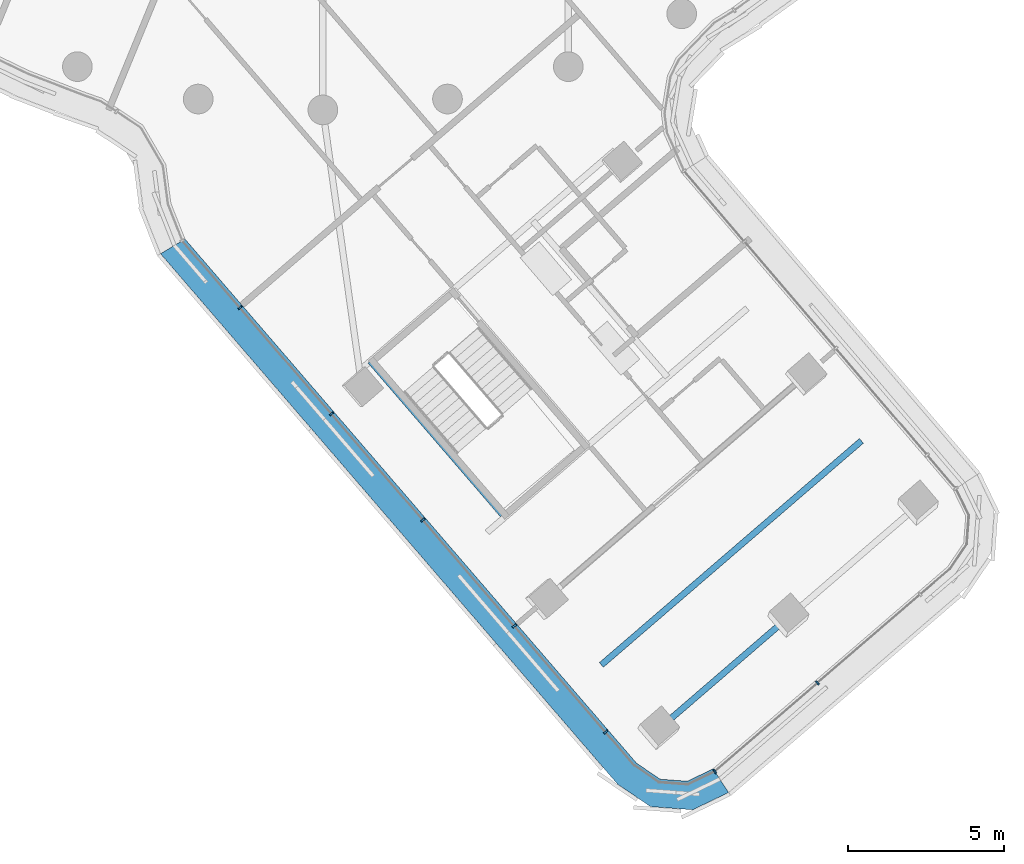
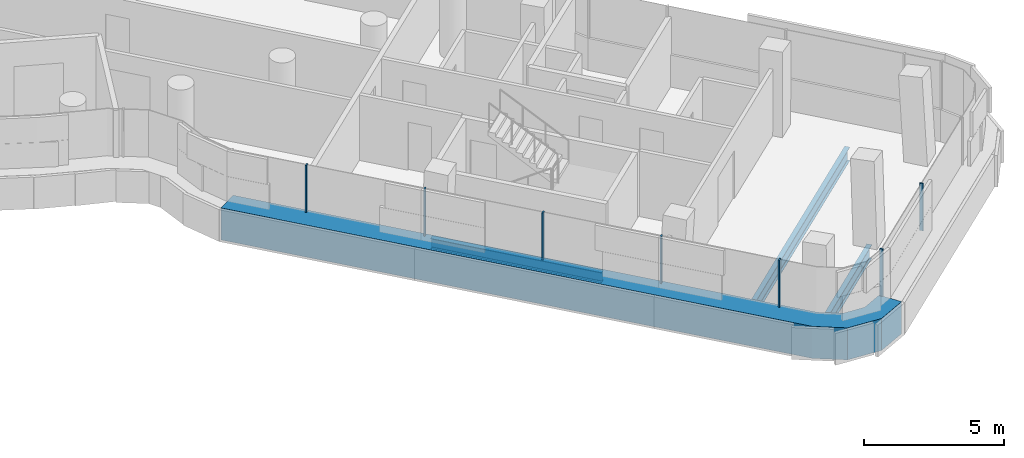
# One storey, part 4 of 34: 8 members, 3 beams, 2 elements without a shape of their own.
"""IFC4 building model written with IfcOpenShell, lengths in metres."""

from ifc_helpers import new_model, si_unit, direction, frame, origin, origin_2d, place, context, subcontext, project, spatial, polyline, rectangle, i_section, outline, extrude, material, layer, layer_set, material_profile, profile_set, type_object, element, aggregate, save


model = new_model("IFC4")

# Units and contexts
model_context = context("Model", 3, precision=1e-05, world=origin(), true_north=direction((0.0, 1.0)))
body_context = subcontext(model_context, "Body", "Model", "MODEL_VIEW")
ifc_project = project(units=[si_unit("LENGTHUNIT", "METRE"), si_unit("AREAUNIT", "SQUARE_METRE"), si_unit("VOLUMEUNIT", "CUBIC_METRE"), si_unit("PLANEANGLEUNIT", "RADIAN"), si_unit("MASSUNIT", "GRAM", prefix="KILO")], contexts=[model_context])

# Site, building, storey
site_placement = place(None, origin())
site = spatial("IfcSite", under=ifc_project, at=site_placement, CompositionType="ELEMENT")
building_placement = place(site_placement, origin())
building = spatial("IfcBuilding", under=site, at=building_placement, Name="Tamarind Cross Interchange Tower", CompositionType="ELEMENT")
storey_placement = place(building_placement, frame((0.0, 0.0, 182.5)))
storey = spatial("IfcBuildingStorey", under=building, at=storey_placement, Name="L45", CompositionType="ELEMENT", Elevation=182.5)

# Beams
ifc_material_1 = material(Name="Steel Q355B", Category="steel")
ifc_material_profile_1 = material_profile(ifc_material_1, i_section(OverallWidth=0.198974609375, OverallDepth=0.446044921875, WebThickness=0.008056640625, FlangeThickness=0.011962890625, FilletRadius=0.012939453125, at=origin_2d()), Name="HN 446x199x8x12")
ifc_profile_set_1 = profile_set([ifc_material_profile_1], Name="Steel Q355B")
beam_type_1 = type_object("IfcBeamType", Name="Composite beam HN 446x199x8x12 Q355B", PredefinedType="BEAM", material=ifc_profile_set_1)
beam_1_placement = place(storey_placement, frame((1.525390625, -31.047607421875, -0.363037109375), z_axis=(0.65271002056, -0.757607833289, 0.0), x_axis=(0.757607833289, 0.65271002056, 0.0)))
element("IfcBeam", 1, at=beam_1_placement, inside=storey, type_object=beam_type_1, Name="Beam S-tr0", PredefinedType="BEAM", context=body_context, shape_type="SweptSolid", body=[
    extrude(i_section(OverallWidth=0.198974609375, OverallDepth=0.446044921875, WebThickness=0.008056640625, FlangeThickness=0.011962890625, FilletRadius=0.012939453125, at=origin_2d()), origin(), (0.0, 0.0, 1.0), 6.50048828125),
])
ifc_material_profile_2 = material_profile(ifc_material_1, i_section(OverallWidth=0.198974609375, OverallDepth=0.595947265625, WebThickness=0.010009765625, FlangeThickness=0.014892578125, FilletRadius=0.012939453125, at=origin_2d()), Name="HN 596x199x10x15")
ifc_profile_set_2 = profile_set([ifc_material_profile_2], Name="Steel Q355B")
beam_type_2 = type_object("IfcBeamType", Name="Composite beam HN 596x199x10x15 Q355B", PredefinedType="BEAM", material=ifc_profile_set_2)
beam_2_placement = place(storey_placement, frame((10.723876953125, -42.873046875, -0.43798828125), z_axis=(0.757584038175, 0.652737638798, 0.0), x_axis=(-0.652737638798, 0.757584038175, 0.0)))
element("IfcBeam", 2, at=beam_2_placement, inside=storey, type_object=beam_type_2, Name="Beam S-tip0", PredefinedType="BEAM", context=body_context, shape_type="SweptSolid", body=[
    extrude(i_section(OverallWidth=0.198974609375, OverallDepth=0.595947265625, WebThickness=0.010009765625, FlangeThickness=0.014892578125, FilletRadius=0.012939453125, at=origin_2d()), origin(), (0.0, 0.0, 1.0), 5.5),
])
beam_3_placement = place(storey_placement, frame((8.924560546875, -40.78466796875, -0.43798828125), z_axis=(0.757595013443, 0.652724900403, 0.0), x_axis=(-0.652724900403, 0.757595013443, 0.0)))
element("IfcBeam", 3, at=beam_3_placement, inside=storey, type_object=beam_type_2, Name="Beam S-x421", PredefinedType="BEAM", context=body_context, shape_type="SweptSolid", body=[
    extrude(i_section(OverallWidth=0.198974609375, OverallDepth=0.595947265625, WebThickness=0.010009765625, FlangeThickness=0.014892578125, FilletRadius=0.012939453125, at=origin_2d()), origin(), (0.0, 0.0, 1.0), 11.0),
])

# Curtain wall, members
ifc_material_2 = material(Name="Aluminium 6063-T6", Category="aluminium")
ifc_layer = layer(ifc_material_2, 0.139892578125)
ifc_layer_set = layer_set([ifc_layer], Name="Aluminium 6063-T6")
curtain_wall_type = type_object("IfcCurtainWallType", Name="Hotel curtain wall, 4.5 m bays", PredefinedType="NOTDEFINED", material=ifc_layer_set)
curtain_wall_1_placement = place(storey_placement, origin())
curtain_wall_1 = element("IfcCurtainWall", 4, at=curtain_wall_1_placement, inside=storey, type_object=curtain_wall_type, Name="CWS-L45-07", PredefinedType="NOTDEFINED")
ifc_material_3 = material(Name="Aluminium and insulated spandrel panel", Category="aluminium")
member_type_1 = type_object("IfcMemberType", Name="Floor-edge blade transom", PredefinedType="USERDEFINED", material=ifc_material_3)
member_1_placement = place(storey_placement, origin())
member_1 = element("IfcMember", 5, at=member_1_placement, type_object=member_type_1, Name="CWT-L45-07", ObjectType="TRANSOM", PredefinedType="USERDEFINED", context=body_context, shape_type="SweptSolid", body=[
    extrude(outline(polyline([(-4.418701171875, -27.135986328125), (10.051513671875, -43.931396484375), (10.808349609375, -44.446533203125), (11.680419921875, -44.511474609375), (12.5048828125, -44.11376953125), (13.00244140625, -44.873046875), (11.85400390625, -45.4267578125), (10.5009765625, -45.326171875), (9.447021484375, -44.608642578125), (-5.2001953125, -27.607666015625), (-4.418701171875, -27.135986328125)])), origin(), (0.0, 0.0, 1.0), 1.39990234375),
])
ifc_material_profile_3 = material_profile(ifc_material_2, rectangle(XDim=0.06005859375, YDim=0.139892578125, at=origin_2d()), Name="Mullion CW2")
ifc_profile_set_3 = profile_set([ifc_material_profile_3], Name="Aluminium 6063-T6")
member_type_2 = type_object("IfcMemberType", Name="Mullion CW2", PredefinedType="MULLION", material=ifc_profile_set_3)
member_2_placement = place(storey_placement, frame((-2.654052734375, -29.33740234375, 1.39990234375), z_axis=(0.0, 0.0, 1.0), x_axis=(0.652722730074, -0.757596883339, 0.0)))
member_2 = element("IfcMember", 6, at=member_2_placement, type_object=member_type_2, Name="CWM-L45-07-01", PredefinedType="MULLION", context=body_context, shape_type="SweptSolid", body=[
    extrude(rectangle(XDim=0.06005859375, YDim=0.139892578125, at=origin_2d()), origin(), (0.0, 0.0, 1.0), 2.06005859375),
])
member_3_placement = place(storey_placement, frame((0.275146484375, -32.737060546875, 1.39990234375), z_axis=(0.0, 0.0, 1.0), x_axis=(0.652722730074, -0.757596883339, 0.0)))
member_3 = element("IfcMember", 7, at=member_3_placement, type_object=member_type_2, Name="CWM-L45-07-02", PredefinedType="MULLION", context=body_context, shape_type="SweptSolid", body=[
    extrude(rectangle(XDim=0.06005859375, YDim=0.139892578125, at=origin_2d()), origin(), (0.0, 0.0, 1.0), 2.06005859375),
])
member_4_placement = place(storey_placement, frame((3.204345703125, -36.13720703125, 1.39990234375), z_axis=(0.0, 0.0, 1.0), x_axis=(0.652722730074, -0.757596883339, 0.0)))
member_4 = element("IfcMember", 8, at=member_4_placement, type_object=member_type_2, Name="CWM-L45-07-03", PredefinedType="MULLION", context=body_context, shape_type="SweptSolid", body=[
    extrude(rectangle(XDim=0.06005859375, YDim=0.139892578125, at=origin_2d()), origin(), (0.0, 0.0, 1.0), 2.06005859375),
])
member_5_placement = place(storey_placement, frame((6.1337890625, -39.537109375, 1.39990234375), z_axis=(0.0, 0.0, 1.0), x_axis=(0.652722730074, -0.757596883339, 0.0)))
member_5 = element("IfcMember", 9, at=member_5_placement, type_object=member_type_2, Name="CWM-L45-07-04", PredefinedType="MULLION", context=body_context, shape_type="SweptSolid", body=[
    extrude(rectangle(XDim=0.06005859375, YDim=0.139892578125, at=origin_2d()), origin(), (0.0, 0.0, 1.0), 2.06005859375),
])
member_6_placement = place(storey_placement, frame((9.06298828125, -42.93701171875, 1.39990234375), z_axis=(0.0, 0.0, 1.0), x_axis=(0.652722730074, -0.757596883339, 0.0)))
member_6 = element("IfcMember", 10, at=member_6_placement, type_object=member_type_2, Name="CWM-L45-07-05", PredefinedType="MULLION", context=body_context, shape_type="SweptSolid", body=[
    extrude(rectangle(XDim=0.06005859375, YDim=0.139892578125, at=origin_2d()), origin(), (0.0, 0.0, 1.0), 2.06005859375),
])
aggregate(curtain_wall_1, [member_2, member_3, member_4, member_5, member_6, member_1])

curtain_wall_2_placement = place(storey_placement, origin())
curtain_wall_2 = element("IfcCurtainWall", 11, at=curtain_wall_2_placement, inside=storey, type_object=curtain_wall_type, Name="CWS-L45-08", PredefinedType="NOTDEFINED")
member_7_placement = place(storey_placement, frame((12.56005859375, -44.197998046875, 1.39990234375), z_axis=(0.0, 0.0, 1.0), x_axis=(0.836312949511, 0.548252360214, 0.0)))
member_7 = element("IfcMember", 12, at=member_7_placement, type_object=member_type_2, Name="CWM-L45-08-00", PredefinedType="MULLION", context=body_context, shape_type="SweptSolid", body=[
    extrude(rectangle(XDim=0.06005859375, YDim=0.139892578125, at=origin_2d()), origin(), (0.0, 0.0, 1.0), 2.06005859375),
])
member_8_placement = place(storey_placement, frame((15.852294921875, -41.361572265625, 1.39990234375), z_axis=(0.0, 0.0, 1.0), x_axis=(0.757596883339, 0.652722730074, 0.0)))
member_8 = element("IfcMember", 13, at=member_8_placement, type_object=member_type_2, Name="CWM-L45-08-01", PredefinedType="MULLION", context=body_context, shape_type="SweptSolid", body=[
    extrude(rectangle(XDim=0.06005859375, YDim=0.139892578125, at=origin_2d()), origin(), (0.0, 0.0, 1.0), 2.06005859375),
])
aggregate(curtain_wall_2, [member_7, member_8])

save(model, "model.ifc")
